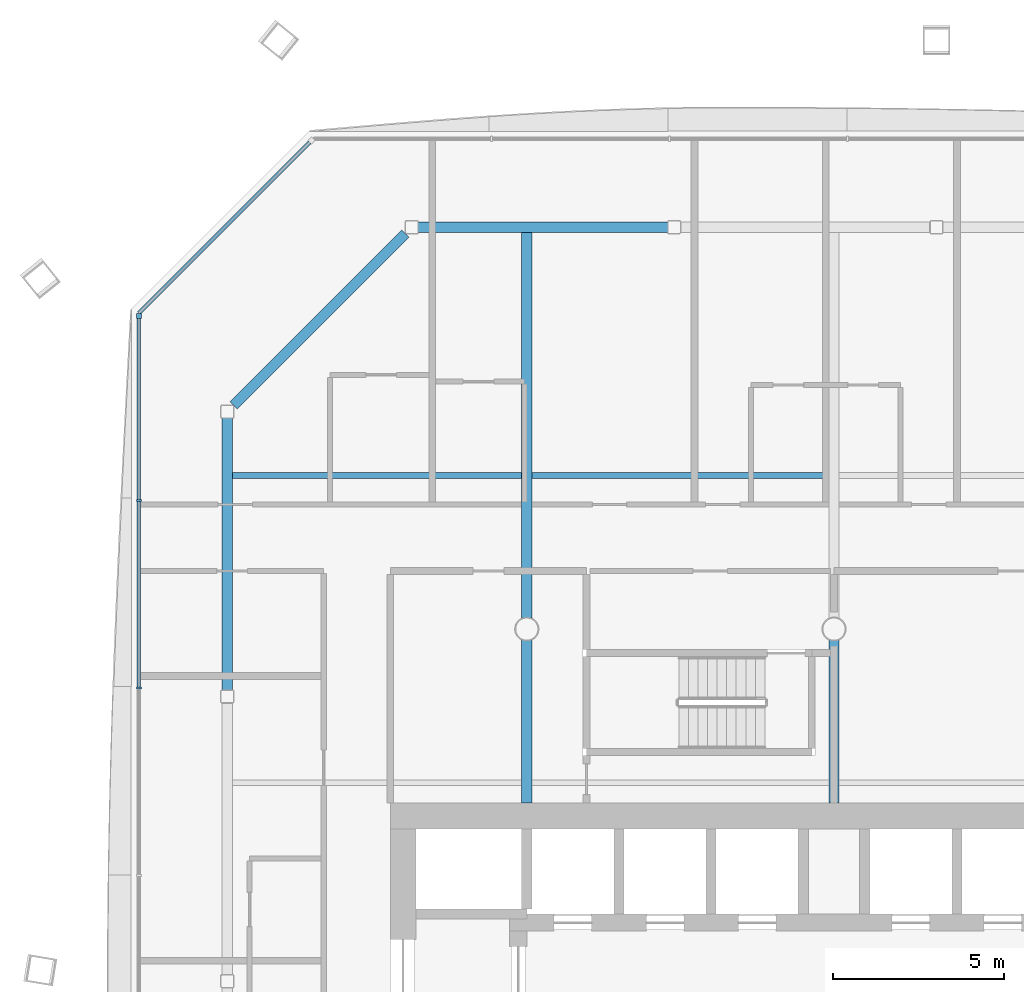
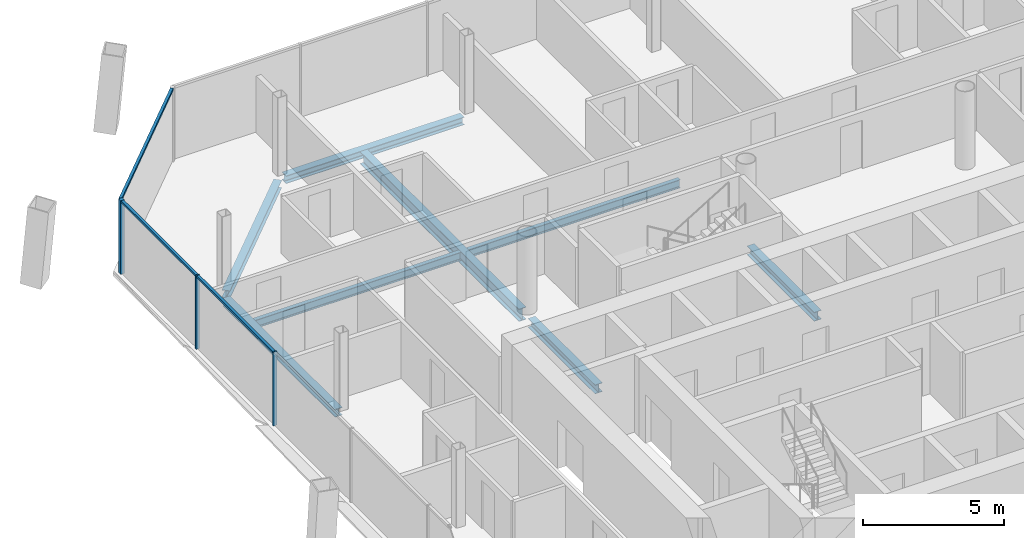
# One storey, part 9 of 22: 8 beams, 6 members, 2 elements without a shape of their own.
"""IFC4 building model written with IfcOpenShell, lengths in metres."""

from ifc_helpers import new_model, si_unit, direction, frame, origin, origin_2d, place, context, subcontext, project, spatial, rectangle, i_section, extrude, material, material_profile, profile_set, type_object, element, aggregate, save


model = new_model("IFC4")

# Units and contexts
model_context = context("Model", 3, precision=1e-05, world=origin(), true_north=direction((0.0, 1.0)))
body_context = subcontext(model_context, "Body", "Model", "MODEL_VIEW")
ifc_project = project(units=[si_unit("LENGTHUNIT", "METRE"), si_unit("AREAUNIT", "SQUARE_METRE"), si_unit("VOLUMEUNIT", "CUBIC_METRE"), si_unit("PLANEANGLEUNIT", "RADIAN"), si_unit("MASSUNIT", "GRAM", prefix="KILO")], contexts=[model_context])

# Site, building, storey
site_placement = place(None, origin())
site = spatial("IfcSite", under=ifc_project, at=site_placement, CompositionType="ELEMENT")
building_placement = place(site_placement, origin())
building = spatial("IfcBuilding", under=site, at=building_placement, Name="Tskaro Facet Tower", CompositionType="ELEMENT")
storey_placement = place(building_placement, frame((0.0, 0.0, 124.89990234375)))
storey = spatial("IfcBuildingStorey", under=building, at=storey_placement, Name="L29", CompositionType="ELEMENT", Elevation=124.89990234375)

# Curtain wall, members
ifc_material_1 = material(Name="Bronze anodised aluminium 6063-T6", Category="aluminium")
curtain_wall_type = type_object("IfcCurtainWallType", Name="Bronze hotel curtain wall (FW2)", PredefinedType="NOTDEFINED", material=ifc_material_1)
curtain_wall_1_placement = place(storey_placement, origin())
curtain_wall_1 = element("IfcCurtainWall", 1, at=curtain_wall_1_placement, inside=storey, type_object=curtain_wall_type, Name="FW2 west facet L29", PredefinedType="NOTDEFINED")
ifc_material_profile_1 = material_profile(ifc_material_1, rectangle(XDim=0.14990234375, YDim=0.14990234375, at=origin_2d()), Name="Corner post 150x150")
ifc_profile_set_1 = profile_set([ifc_material_profile_1], Name="Bronze anodised aluminium 6063-T6")
member_type_1 = type_object("IfcMemberType", Name="FW2 bronze corner post 150x150", PredefinedType="MULLION", material=ifc_profile_set_1)
member_1_placement = place(storey_placement, frame((-20.366943359375, 18.177978515625, 0.0), z_axis=(0.0, 0.0, 1.0), x_axis=(0.0, -1.0, 0.0)))
member_1 = element("IfcMember", 2, at=member_1_placement, type_object=member_type_1, Name="FW2 west corner post", PredefinedType="MULLION", context=body_context, shape_type="SweptSolid", body=[
    extrude(rectangle(XDim=0.14990234375, YDim=0.14990234375, at=origin_2d()), origin(), (0.0, 0.0, 1.0), 3.2001953125),
])
ifc_material_profile_2 = material_profile(ifc_material_1, rectangle(XDim=0.06005859375, YDim=0.14990234375, at=origin_2d()), Name="Mullion 60x150")
ifc_profile_set_2 = profile_set([ifc_material_profile_2], Name="Bronze anodised aluminium 6063-T6")
member_type_2 = type_object("IfcMemberType", Name="FW2 bronze mullion 60x150", PredefinedType="MULLION", material=ifc_profile_set_2)
member_2_placement = place(storey_placement, frame((-20.366943359375, 12.7646484375, 0.0), z_axis=(0.0, 0.0, 1.0), x_axis=(0.0, -1.0, 0.0)))
member_2 = element("IfcMember", 3, at=member_2_placement, type_object=member_type_2, Name="FW2 west mullion 1", PredefinedType="MULLION", context=body_context, shape_type="SweptSolid", body=[
    extrude(rectangle(XDim=0.06005859375, YDim=0.14990234375, at=origin_2d()), origin(), (0.0, 0.0, 1.0), 3.2001953125),
])
member_3_placement = place(storey_placement, frame((-20.366943359375, 7.276123046875, 0.0), z_axis=(0.0, 0.0, 1.0), x_axis=(0.0, -1.0, 0.0)))
member_3 = element("IfcMember", 4, at=member_3_placement, type_object=member_type_2, Name="FW2 west mullion 2", PredefinedType="MULLION", context=body_context, shape_type="SweptSolid", body=[
    extrude(rectangle(XDim=0.06005859375, YDim=0.14990234375, at=origin_2d()), origin(), (0.0, 0.0, 1.0), 3.2001953125),
])

# Curtain wall, member
curtain_wall_2_placement = place(storey_placement, origin())
curtain_wall_2 = element("IfcCurtainWall", 5, at=curtain_wall_2_placement, inside=storey, type_object=curtain_wall_type, Name="FW2 north-west facet L29", PredefinedType="NOTDEFINED")
ifc_material_profile_3 = material_profile(ifc_material_1, rectangle(XDim=0.110107421875, YDim=0.10009765625, at=origin_2d()), Name="Transom 110x100")
ifc_profile_set_3 = profile_set([ifc_material_profile_3], Name="Bronze anodised aluminium 6063-T6")
member_type_3 = type_object("IfcMemberType", Name="FW2 bronze transom 110x100", PredefinedType="USERDEFINED", material=ifc_profile_set_3)
member_4_placement = place(storey_placement, frame((-15.359130859375, 23.260986328125, 3.150146484375), z_axis=(-0.707089544979, -0.707124016974, 0.0), x_axis=(0.707124016974, -0.707089544979, 0.0)))
member_4 = element("IfcMember", 6, at=member_4_placement, type_object=member_type_3, Name="FW2 north-west transom 1.1", ObjectType="TRANSOM", PredefinedType="USERDEFINED", context=body_context, shape_type="SweptSolid", body=[
    extrude(rectangle(XDim=0.110107421875, YDim=0.10009765625, at=origin_2d()), origin(), (0.0, 0.0, 1.0), 7.082275390625),
])
aggregate(curtain_wall_2, [member_4])

# Member
member_5_placement = place(storey_placement, frame((-20.366943359375, 18.10302734375, 3.150146484375), z_axis=(0.0, -1.0, 0.0), x_axis=(1.0, 0.0, 0.0)))
member_5 = element("IfcMember", 7, at=member_5_placement, type_object=member_type_3, Name="FW2 west transom 1.1", ObjectType="TRANSOM", PredefinedType="USERDEFINED", context=body_context, shape_type="SweptSolid", body=[
    extrude(rectangle(XDim=0.110107421875, YDim=0.10009765625, at=origin_2d()), origin(), (0.0, 0.0, 1.0), 5.308349609375),
])

member_6_placement = place(storey_placement, frame((-20.366943359375, 12.734619140625, 3.150146484375), z_axis=(0.0, -1.0, 0.0), x_axis=(1.0, 0.0, 0.0)))
member_6 = element("IfcMember", 8, at=member_6_placement, type_object=member_type_3, Name="FW2 west transom 2.1", ObjectType="TRANSOM", PredefinedType="USERDEFINED", context=body_context, shape_type="SweptSolid", body=[
    extrude(rectangle(XDim=0.110107421875, YDim=0.10009765625, at=origin_2d()), origin(), (0.0, 0.0, 1.0), 5.428466796875),
])

aggregate(curtain_wall_1, [member_1, member_2, member_3, member_5, member_6])

# Beams
ifc_material_2 = material(Name="Steel S355J2", Category="steel")
ifc_material_profile_4 = material_profile(ifc_material_2, i_section(OverallWidth=0.300048828125, OverallDepth=0.340087890625, WebThickness=0.011962890625, FlangeThickness=0.021484375, FilletRadius=0.027099609375, at=origin_2d()), Name="HE 340 B")
ifc_profile_set_4 = profile_set([ifc_material_profile_4], Name="Steel S355J2")
beam_type_1 = type_object("IfcBeamType", Name="HE 340 B ring beam", PredefinedType="BEAM", material=ifc_profile_set_4)
beam_1_placement = place(storey_placement, frame((-4.864013671875, 20.77392578125, -0.309814453125), z_axis=(-1.0, 0.0, 0.0), x_axis=(0.0, -1.0, 0.0)))
element("IfcBeam", 9, at=beam_1_placement, inside=storey, type_object=beam_type_1, Name="HE 340 B EB14-3", PredefinedType="BEAM", context=body_context, shape_type="SweptSolid", body=[
    extrude(i_section(OverallWidth=0.300048828125, OverallDepth=0.340087890625, WebThickness=0.011962890625, FlangeThickness=0.021484375, FilletRadius=0.027099609375, at=origin_2d()), origin(), (0.0, 0.0, 1.0), 7.323974609375),
])
beam_2_placement = place(storey_placement, frame((-12.553955078125, 20.588134765625, -0.309814453125), z_axis=(-0.707106781187, -0.707106781187, 0.0), x_axis=(0.707106781187, -0.707106781187, 0.0)))
element("IfcBeam", 10, at=beam_2_placement, inside=storey, type_object=beam_type_1, Name="HE 340 B EB15-3", PredefinedType="BEAM", context=body_context, shape_type="SweptSolid", body=[
    extrude(i_section(OverallWidth=0.300048828125, OverallDepth=0.340087890625, WebThickness=0.011962890625, FlangeThickness=0.021484375, FilletRadius=0.027099609375, at=origin_2d()), origin(), (0.0, 0.0, 1.0), 7.119384765625),
])
beam_3_placement = place(storey_placement, frame((-17.77392578125, 15.18798828125, -0.309814453125), z_axis=(0.0, -1.0, 0.0), x_axis=(1.0, 0.0, 0.0)))
element("IfcBeam", 11, at=beam_3_placement, inside=storey, type_object=beam_type_1, Name="HE 340 B EB16-3", PredefinedType="BEAM", context=body_context, shape_type="SweptSolid", body=[
    extrude(i_section(OverallWidth=0.300048828125, OverallDepth=0.340087890625, WebThickness=0.011962890625, FlangeThickness=0.021484375, FilletRadius=0.027099609375, at=origin_2d()), origin(), (0.0, 0.0, 1.0), 7.98193359375),
])
ifc_material_profile_5 = material_profile(ifc_material_2, i_section(OverallWidth=0.300048828125, OverallDepth=0.389892578125, WebThickness=0.010986328125, FlangeThickness=0.01904296875, FilletRadius=0.027099609375, at=origin_2d()), Name="HE 400 A")
ifc_profile_set_5 = profile_set([ifc_material_profile_5], Name="Steel S355J2")
beam_type_2 = type_object("IfcBeamType", Name="HE 400 A girder", PredefinedType="BEAM", material=ifc_profile_set_5)
for number, where, z_axis, x_axis, name in (
    (12, (-9.0, 3.89990234375, -0.3349609375), (0.0, 1.0, 0.0), (-1.0, 0.0, 0.0), "HE 400 A GB3-2-3"),
    (13, (0.0, 3.89990234375, -0.3349609375), (0.0, 1.0, 0.0), (-1.0, 0.0, 0.0), "HE 400 A GB4-2-3"),
):
    element("IfcBeam", number, at=place(storey_placement, frame(where, z_axis=z_axis, x_axis=x_axis)), inside=storey, type_object=beam_type_2, Name=name, PredefinedType="BEAM", context=body_context, shape_type="SweptSolid", body=[
        extrude(i_section(OverallWidth=0.300048828125, OverallDepth=0.389892578125, WebThickness=0.010986328125, FlangeThickness=0.01904296875, FilletRadius=0.027099609375, at=origin_2d()), origin(), (0.0, 0.0, 1.0), 4.774658203125),
    ])
ifc_material_profile_6 = material_profile(ifc_material_2, i_section(OverallWidth=0.300048828125, OverallDepth=0.5400390625, WebThickness=0.012451171875, FlangeThickness=0.02392578125, FilletRadius=0.027099609375, at=origin_2d()), Name="HE 550 A")
ifc_profile_set_6 = profile_set([ifc_material_profile_6], Name="Steel S355J2")
beam_type_3 = type_object("IfcBeamType", Name="HE 550 A long girder", PredefinedType="BEAM", material=ifc_profile_set_6)
beam_4_placement = place(storey_placement, frame((-9.0, 9.325439453125, -0.409912109375), z_axis=(0.0, 1.0, 0.0), x_axis=(-1.0, 0.0, 0.0)))
element("IfcBeam", 14, at=beam_4_placement, inside=storey, type_object=beam_type_3, Name="HE 550 A LGB3-3-3", PredefinedType="BEAM", context=body_context, shape_type="SweptSolid", body=[
    extrude(i_section(OverallWidth=0.300048828125, OverallDepth=0.5400390625, WebThickness=0.012451171875, FlangeThickness=0.02392578125, FilletRadius=0.027099609375, at=origin_2d()), origin(), (0.0, 0.0, 1.0), 11.298583984375),
])
ifc_material_profile_7 = material_profile(ifc_material_2, i_section(OverallWidth=0.169921875, OverallDepth=0.360107421875, WebThickness=0.008056640625, FlangeThickness=0.0126953125, FilletRadius=0.01806640625, at=origin_2d()), Name="IPE 360")
ifc_profile_set_7 = profile_set([ifc_material_profile_7], Name="Steel S355J2")
beam_type_4 = type_object("IfcBeamType", Name="IPE 360 secondary beam", PredefinedType="BEAM", material=ifc_profile_set_7)
beam_5_placement = place(storey_placement, frame((-17.6240234375, 13.5, -0.31982421875), z_axis=(1.0, 0.0, 0.0), x_axis=(0.0, 1.0, 0.0)))
element("IfcBeam", 15, at=beam_5_placement, inside=storey, type_object=beam_type_4, Name="IPE 360 SB5a-1-3", PredefinedType="BEAM", context=body_context, shape_type="SweptSolid", body=[
    extrude(i_section(OverallWidth=0.169921875, OverallDepth=0.360107421875, WebThickness=0.008056640625, FlangeThickness=0.0126953125, FilletRadius=0.01806640625, at=origin_2d()), origin(), (0.0, 0.0, 1.0), 8.47412109375),
])
beam_6_placement = place(storey_placement, frame((-8.85009765625, 13.5, -0.31982421875), z_axis=(1.0, 0.0, 0.0), x_axis=(0.0, 1.0, 0.0)))
element("IfcBeam", 16, at=beam_6_placement, inside=storey, type_object=beam_type_4, Name="IPE 360 SB5a-2-3", PredefinedType="BEAM", context=body_context, shape_type="SweptSolid", body=[
    extrude(i_section(OverallWidth=0.169921875, OverallDepth=0.360107421875, WebThickness=0.008056640625, FlangeThickness=0.0126953125, FilletRadius=0.01806640625, at=origin_2d()), origin(), (0.0, 0.0, 1.0), 8.7001953125),
])

save(model, "model.ifc")
